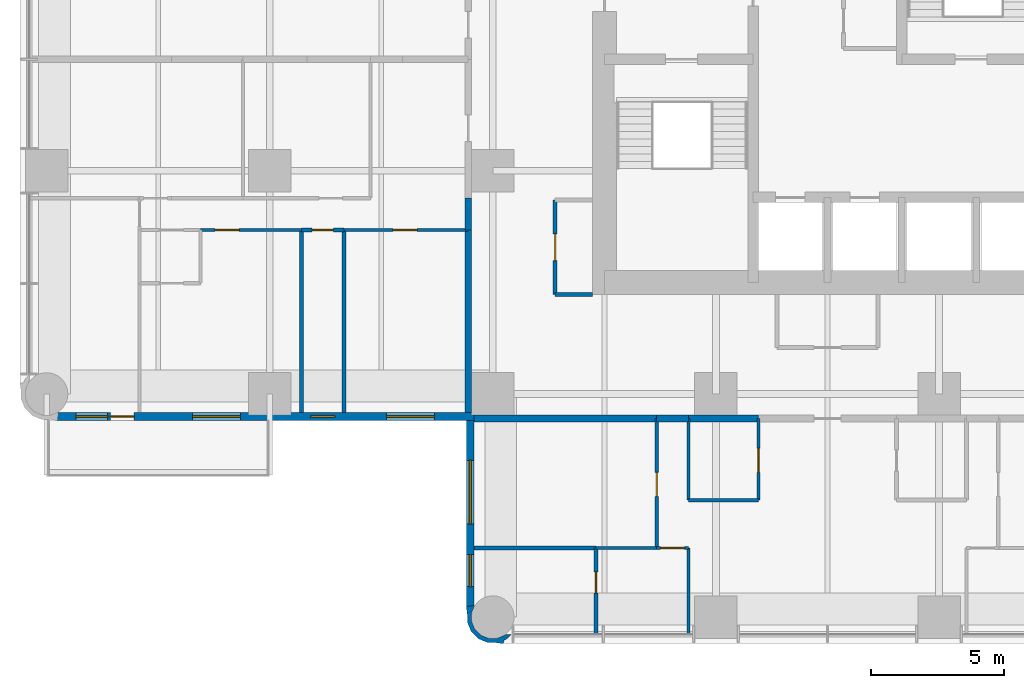
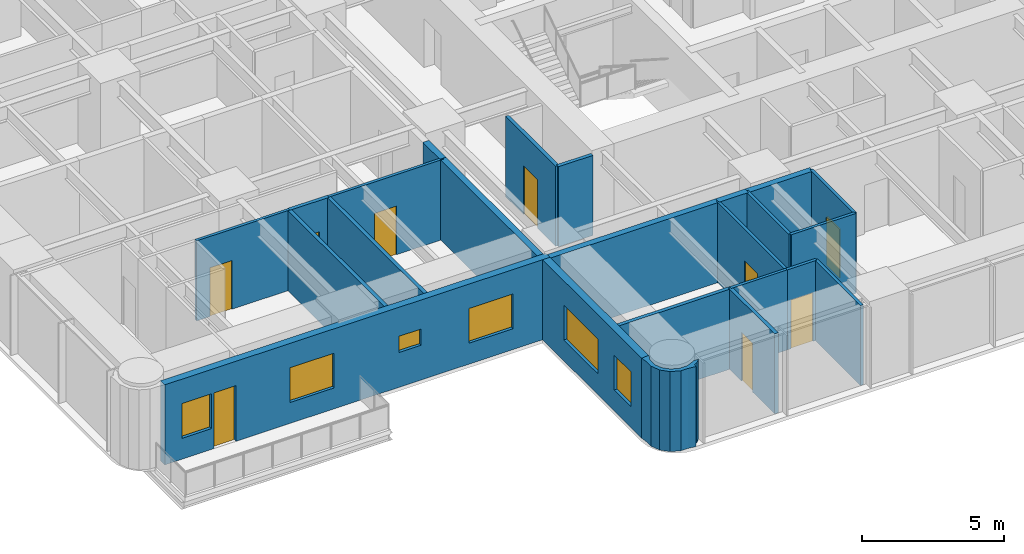
# One storey, part 6 of 15: 24 walls, 9 doors, 6 windows, 15 openings.
"""IFC4 building model written with IfcOpenShell, lengths in metres."""

from ifc_helpers import new_model, si_unit, direction, frame, frame_2d, origin, place, context, subcontext, project, spatial, polyline, rectangle, outline, extrude, material, layer, layer_set, type_object, element, fill, save


model = new_model("IFC4")

# Units and contexts
model_context = context("Model", 3, precision=1e-05, world=origin(), true_north=direction((0.0, 1.0)))
body_context = subcontext(model_context, "Body", "Model", "MODEL_VIEW")
ifc_project = project(units=[si_unit("LENGTHUNIT", "METRE"), si_unit("AREAUNIT", "SQUARE_METRE"), si_unit("VOLUMEUNIT", "CUBIC_METRE"), si_unit("PLANEANGLEUNIT", "RADIAN"), si_unit("MASSUNIT", "GRAM", prefix="KILO")], contexts=[model_context])

# Site, building, storey
site_placement = place(None, origin())
site = spatial("IfcSite", under=ifc_project, at=site_placement, CompositionType="ELEMENT")
building_placement = place(site_placement, origin())
building = spatial("IfcBuilding", under=site, at=building_placement, Name="Torre Alcanfor", CompositionType="ELEMENT")
storey_placement = place(building_placement, frame((0.0, 0.0, 123.300048828125)))
storey = spatial("IfcBuildingStorey", under=building, at=storey_placement, Name="L31", CompositionType="ELEMENT", Elevation=123.300048828125)

# Walls
ifc_material_1 = material(Name="Concrete block masonry, hollow blocks NMX-C-404 9 MPa", Category="masonry")
ifc_layer_1 = layer(ifc_material_1, 0.25)
ifc_layer_set_1 = layer_set([ifc_layer_1], Name="Apartment entrance wall 250 EI 60")
wall_type_1 = type_object("IfcWallType", Name="Apartment entrance wall 250 EI 60", PredefinedType="PARTITIONING", material=ifc_layer_set_1)
wall_1_placement = place(storey_placement, frame((26.800048828125, 15.875, 0.0), z_axis=(0.0, 0.0, 1.0), x_axis=(-1.0, 0.0, 0.0)))
element("IfcWall", 1, at=wall_1_placement, inside=storey, type_object=wall_type_1, Name="Partition L31-CORR / L31-SX-KITCHEN", PredefinedType="PARTITIONING", context=body_context, shape_type="SweptSolid", body=[
    extrude(rectangle(XDim=2.629150390625, YDim=0.25, at=frame_2d((1.314453125, 0.0))), origin(), (0.0, 0.0, 1.0), 3.449951171875),
])
wall_2_placement = place(storey_placement, frame((24.1708984375, 15.875, 0.0), z_axis=(0.0, 0.0, 1.0), x_axis=(-1.0, 0.0, 0.0)))
element("IfcWall", 2, at=wall_2_placement, inside=storey, type_object=wall_type_1, Name="Partition L31-CORR / L31-SX-LIVING", PredefinedType="PARTITIONING", context=body_context, shape_type="SweptSolid", body=[
    extrude(rectangle(XDim=1.199951171875, YDim=0.25, at=frame_2d((0.60009765625, 0.0))), origin(), (0.0, 0.0, 1.0), 3.449951171875),
])
wall_3_placement = place(storey_placement, frame((22.970947265625, 15.875, 0.0), z_axis=(0.0, 0.0, 1.0), x_axis=(-1.0, 0.0, 0.0)))
element("IfcWall", 3, at=wall_3_placement, inside=storey, type_object=wall_type_1, Name="Partition L31-CORR / L31-SX-BED3", PredefinedType="PARTITIONING", context=body_context, shape_type="SweptSolid", body=[
    extrude(rectangle(XDim=6.870849609375, YDim=0.25, at=frame_2d((3.435546875, 0.0))), origin(), (0.0, 0.0, 1.0), 3.449951171875),
])
wall_4_placement = place(storey_placement, frame((15.875, 22.970947265625, 0.0), z_axis=(0.0, 0.0, 1.0), x_axis=(0.0, 1.0, 0.0)))
element("IfcWall", 4, at=wall_4_placement, inside=storey, type_object=wall_type_1, Name="Partition L31-CORR / L31-W1-HALL", PredefinedType="PARTITIONING", context=body_context, shape_type="SweptSolid", body=[
    extrude(rectangle(XDim=1.199951171875, YDim=0.25, at=frame_2d((0.60009765625, 0.0))), origin(), (0.0, 0.0, 1.0), 3.449951171875),
])
wall_5_placement = place(storey_placement, frame((15.875, 16.10009765625, 0.0), z_axis=(0.0, 0.0, 1.0), x_axis=(0.0, 1.0, 0.0)))
element("IfcWall", 5, at=wall_5_placement, inside=storey, type_object=wall_type_1, Name="Partition L31-CORR / L31-W1-BED2", PredefinedType="PARTITIONING", context=body_context, shape_type="SweptSolid", body=[
    extrude(rectangle(XDim=6.870849609375, YDim=0.25, at=frame_2d((3.435546875, 0.0))), origin(), (0.0, 0.0, 1.0), 3.449951171875),
])

# Wall, opening, door
ifc_material_2 = material(Name="Gypsum board on steel studs", Category="steel")
ifc_layer_2 = layer(ifc_material_2, 0.1201171875)
ifc_layer_set_2 = layer_set([ifc_layer_2], Name="Apartment partition 120")
wall_type_2 = type_object("IfcWallType", Name="Apartment partition 120", PredefinedType="PARTITIONING", material=ifc_layer_set_2)
wall_6_placement = place(storey_placement, frame((26.800048828125, 15.875, 0.0), z_axis=(0.0, 0.0, 1.0), x_axis=(0.0, -1.0, 0.0)))
wall_6 = element("IfcWall", 6, at=wall_6_placement, inside=storey, type_object=wall_type_2, Name="Partition L31-SX-ZAG / L31-SX-KITCHEN", PredefinedType="PARTITIONING", context=body_context, shape_type="SweptSolid", body=[
    extrude(rectangle(XDim=3.074951171875, YDim=0.1201171875, at=frame_2d((1.53759765625, 0.0))), origin(), (0.0, 0.0, 1.0), 3.449951171875),
])
opening_1_placement = place(wall_6_placement, frame((1.125, 0.0, 0.0)))
opening_1 = element("IfcOpeningElement", 7, at=opening_1_placement, cuts=wall_6, Name="Opening D-R1", PredefinedType="OPENING", context=body_context, shape_type="SweptSolid", body=[
    extrude(rectangle(XDim=0.89990234375, YDim=2.10009765625, at=frame_2d((0.449951171875, 1.050048828125))), frame((0.0, 0.070068359375, 0.0), z_axis=(0.0, -1.0, 0.0), x_axis=(1.0, 0.0, 0.0)), (0.0, 0.0, 1.0), 0.14013671875),
])
ifc_material_3 = material(Name="Timber", Category="wood")
door_type_1 = type_object("IfcDoorType", Name="Internal door 900x2100", OperationType="SINGLE_SWING_LEFT", PredefinedType="DOOR", material=ifc_material_3)
door_1_placement = place(opening_1_placement, frame((0.89990234375, 0.0, 0.0), z_axis=(0.0, 0.0, 1.0), x_axis=(-1.0, 0.0, 0.0)))
door_1 = element("IfcDoor", 8, at=door_1_placement, inside=storey, type_object=door_type_1, Name="Door L31-SX kitchen", OperationType="SINGLE_SWING_LEFT", OverallHeight=2.10009765625, OverallWidth=0.89990234375, PredefinedType="DOOR", context=body_context, shape_type="SweptSolid", body=[
    extrude(rectangle(XDim=0.89990234375, YDim=2.10009765625, at=frame_2d((0.449951171875, 1.050048828125))), frame((0.0, 0.025146484375, 0.0), z_axis=(0.0, -1.0, 0.0), x_axis=(1.0, 0.0, 0.0)), (0.0, 0.0, 1.0), 0.050048828125),
])
fill(opening_1, door_1)

# Walls
wall_7_placement = place(storey_placement, frame((24.1708984375, 15.875, 0.0), z_axis=(0.0, 0.0, 1.0), x_axis=(0.0, -1.0, 0.0)))
element("IfcWall", 9, at=wall_7_placement, inside=storey, type_object=wall_type_2, Name="Partition L31-SX-KITCHEN / L31-SX-LIVING", PredefinedType="PARTITIONING", context=body_context, shape_type="SweptSolid", body=[
    extrude(rectangle(XDim=3.074951171875, YDim=0.1201171875, at=frame_2d((1.53759765625, 0.0))), origin(), (0.0, 0.0, 1.0), 3.449951171875),
])
wall_8_placement = place(storey_placement, frame((24.1708984375, 12.800048828125, 0.0), z_axis=(0.0, 0.0, 1.0), x_axis=(1.0, 0.0, 0.0)))
element("IfcWall", 10, at=wall_8_placement, inside=storey, type_object=wall_type_2, Name="Partition L31-SX-KITCHEN / L31-SX-LIVING", PredefinedType="PARTITIONING", context=body_context, shape_type="SweptSolid", body=[
    extrude(rectangle(XDim=2.629150390625, YDim=0.1201171875, at=frame_2d((1.314453125, 0.0))), origin(), (0.0, 0.0, 1.0), 3.449951171875),
])

# Wall, opening, door
wall_9_placement = place(storey_placement, frame((22.970947265625, 11.0, 0.0), z_axis=(0.0, 0.0, 1.0), x_axis=(0.0, 1.0, 0.0)))
wall_9 = element("IfcWall", 11, at=wall_9_placement, inside=storey, type_object=wall_type_2, Name="Partition L31-SX-LIVING / L31-SX-BED3", PredefinedType="PARTITIONING", context=body_context, shape_type="SweptSolid", body=[
    extrude(rectangle(XDim=4.875, YDim=0.1201171875, at=frame_2d((2.4375, 0.0))), origin(), (0.0, 0.0, 1.0), 3.449951171875),
])
opening_2_placement = place(wall_9_placement, frame((1.949951171875, 0.0, 0.0)))
opening_2 = element("IfcOpeningElement", 12, at=opening_2_placement, cuts=wall_9, Name="Opening D-R1", PredefinedType="OPENING", context=body_context, shape_type="SweptSolid", body=[
    extrude(rectangle(XDim=0.89990234375, YDim=2.10009765625, at=frame_2d((0.449951171875, 1.050048828125))), frame((0.0, 0.070068359375, 0.0), z_axis=(0.0, -1.0, 0.0), x_axis=(1.0, 0.0, 0.0)), (0.0, 0.0, 1.0), 0.14013671875),
])
door_2_placement = place(opening_2_placement, origin())
door_2 = element("IfcDoor", 13, at=door_2_placement, inside=storey, type_object=door_type_1, Name="Door L31-SX bed3", OperationType="SINGLE_SWING_LEFT", OverallHeight=2.10009765625, OverallWidth=0.89990234375, PredefinedType="DOOR", context=body_context, shape_type="SweptSolid", body=[
    extrude(rectangle(XDim=0.89990234375, YDim=2.10009765625, at=frame_2d((0.449951171875, 1.050048828125))), frame((0.0, 0.02490234375, 0.0), z_axis=(0.0, -1.0, 0.0), x_axis=(1.0, 0.0, 0.0)), (0.0, 0.0, 1.0), 0.050048828125),
])
fill(opening_2, door_2)

# Wall
wall_10_placement = place(storey_placement, frame((24.1708984375, 7.75, 0.0), z_axis=(0.0, 0.0, 1.0), x_axis=(0.0, 1.0, 0.0)))
element("IfcWall", 14, at=wall_10_placement, inside=storey, type_object=wall_type_2, Name="Partition L31-SX-LIVING / L31-SX-BED1", PredefinedType="PARTITIONING", context=body_context, shape_type="SweptSolid", body=[
    extrude(rectangle(XDim=3.25, YDim=0.1201171875, at=frame_2d((1.625, 0.0))), origin(), (0.0, 0.0, 1.0), 3.449951171875),
])

# Wall, opening, door
wall_11_placement = place(storey_placement, frame((24.1708984375, 11.0, 0.0), z_axis=(0.0, 0.0, 1.0), x_axis=(-1.0, 0.0, 0.0)))
wall_11 = element("IfcWall", 15, at=wall_11_placement, inside=storey, type_object=wall_type_2, Name="Partition L31-SX-LIVING / L31-SX-BED1", PredefinedType="PARTITIONING", context=body_context, shape_type="SweptSolid", body=[
    extrude(rectangle(XDim=1.199951171875, YDim=0.1201171875, at=frame_2d((0.60009765625, 0.0))), origin(), (0.0, 0.0, 1.0), 3.449951171875),
])
opening_3_placement = place(wall_11_placement, frame((0.15087890625, 0.0, 0.0)))
opening_3 = element("IfcOpeningElement", 16, at=opening_3_placement, cuts=wall_11, Name="Opening D-R1", PredefinedType="OPENING", context=body_context, shape_type="SweptSolid", body=[
    extrude(rectangle(XDim=0.89990234375, YDim=2.10009765625, at=frame_2d((0.449951171875, 1.050048828125))), frame((0.0, 0.070068359375, 0.0), z_axis=(0.0, -1.0, 0.0), x_axis=(1.0, 0.0, 0.0)), (0.0, 0.0, 1.0), 0.14013671875),
])
door_3_placement = place(opening_3_placement, origin())
door_3 = element("IfcDoor", 17, at=door_3_placement, inside=storey, type_object=door_type_1, Name="Door L31-SX bed1", OperationType="SINGLE_SWING_LEFT", OverallHeight=2.10009765625, OverallWidth=0.89990234375, PredefinedType="DOOR", context=body_context, shape_type="SweptSolid", body=[
    extrude(rectangle(XDim=0.89990234375, YDim=2.10009765625, at=frame_2d((0.449951171875, 1.050048828125))), frame((0.0, 0.02490234375, 0.0), z_axis=(0.0, -1.0, 0.0), x_axis=(1.0, 0.0, 0.0)), (0.0, 0.0, 1.0), 0.050048828125),
])
fill(opening_3, door_3)

# Wall
wall_12_placement = place(storey_placement, frame((20.68603515625, 11.0, 0.0), z_axis=(0.0, 0.0, 1.0), x_axis=(1.0, 0.0, 0.0)))
element("IfcWall", 18, at=wall_12_placement, inside=storey, type_object=wall_type_2, Name="Partition L31-SX-BED3 / L31-SX-BED1", PredefinedType="PARTITIONING", context=body_context, shape_type="SweptSolid", body=[
    extrude(rectangle(XDim=2.284912109375, YDim=0.1201171875, at=frame_2d((1.142578125, 0.0))), origin(), (0.0, 0.0, 1.0), 3.449951171875),
])

# Wall, opening, door
wall_13_placement = place(storey_placement, frame((11.199951171875, 22.970947265625, 0.0), z_axis=(0.0, 0.0, 1.0), x_axis=(1.0, 0.0, 0.0)))
wall_13 = element("IfcWall", 19, at=wall_13_placement, inside=storey, type_object=wall_type_2, Name="Partition L31-W1-HALL / L31-W1-BED2", PredefinedType="PARTITIONING", context=body_context, shape_type="SweptSolid", body=[
    extrude(rectangle(XDim=4.675048828125, YDim=0.1201171875, at=frame_2d((2.33740234375, 0.0))), origin(), (0.0, 0.0, 1.0), 3.449951171875),
])
opening_4_placement = place(wall_13_placement, frame((1.85009765625, 0.0, 0.0)))
opening_4 = element("IfcOpeningElement", 20, at=opening_4_placement, cuts=wall_13, Name="Opening D-R1", PredefinedType="OPENING", context=body_context, shape_type="SweptSolid", body=[
    extrude(rectangle(XDim=0.89990234375, YDim=2.10009765625, at=frame_2d((0.449951171875, 1.050048828125))), frame((0.0, 0.070068359375, 0.0), z_axis=(0.0, -1.0, 0.0), x_axis=(1.0, 0.0, 0.0)), (0.0, 0.0, 1.0), 0.14013671875),
])
door_4_placement = place(opening_4_placement, frame((0.89990234375, 0.0, 0.0), z_axis=(0.0, 0.0, 1.0), x_axis=(-1.0, 0.0, 0.0)))
door_4 = element("IfcDoor", 21, at=door_4_placement, inside=storey, type_object=door_type_1, Name="Door L31-W1 bed2", OperationType="SINGLE_SWING_RIGHT", OverallHeight=2.10009765625, OverallWidth=0.89990234375, PredefinedType="DOOR", context=body_context, shape_type="SweptSolid", body=[
    extrude(rectangle(XDim=0.89990234375, YDim=2.10009765625, at=frame_2d((0.449951171875, 1.050048828125))), frame((0.0, 0.025146484375, 0.0), z_axis=(0.0, -1.0, 0.0), x_axis=(1.0, 0.0, 0.0)), (0.0, 0.0, 1.0), 0.050048828125),
])
fill(opening_4, door_4)

wall_14_placement = place(storey_placement, frame((5.800048828125, 22.970947265625, 0.0), z_axis=(0.0, 0.0, 1.0), x_axis=(1.0, 0.0, 0.0)))
wall_14 = element("IfcWall", 22, at=wall_14_placement, inside=storey, type_object=wall_type_2, Name="Partition L31-W1-HALL / L31-W1-MASTER", PredefinedType="PARTITIONING", context=body_context, shape_type="SweptSolid", body=[
    extrude(rectangle(XDim=3.800048828125, YDim=0.1201171875, at=frame_2d((1.89990234375, 0.0))), origin(), (0.0, 0.0, 1.0), 3.449951171875),
])
opening_5_placement = place(wall_14_placement, frame((0.550048828125, 0.0, 0.0)))
opening_5 = element("IfcOpeningElement", 23, at=opening_5_placement, cuts=wall_14, Name="Opening D-R1", PredefinedType="OPENING", context=body_context, shape_type="SweptSolid", body=[
    extrude(rectangle(XDim=0.89990234375, YDim=2.10009765625, at=frame_2d((0.449951171875, 1.050048828125))), frame((0.0, 0.070068359375, 0.0), z_axis=(0.0, -1.0, 0.0), x_axis=(1.0, 0.0, 0.0)), (0.0, 0.0, 1.0), 0.14013671875),
])
door_5_placement = place(opening_5_placement, frame((0.89990234375, 0.0, 0.0), z_axis=(0.0, 0.0, 1.0), x_axis=(-1.0, 0.0, 0.0)))
door_5 = element("IfcDoor", 24, at=door_5_placement, inside=storey, type_object=door_type_1, Name="Door L31-W1 master", OperationType="SINGLE_SWING_RIGHT", OverallHeight=2.10009765625, OverallWidth=0.89990234375, PredefinedType="DOOR", context=body_context, shape_type="SweptSolid", body=[
    extrude(rectangle(XDim=0.89990234375, YDim=2.10009765625, at=frame_2d((0.449951171875, 1.050048828125))), frame((0.0, 0.025146484375, 0.0), z_axis=(0.0, -1.0, 0.0), x_axis=(1.0, 0.0, 0.0)), (0.0, 0.0, 1.0), 0.050048828125),
])
fill(opening_5, door_5)

# Wall, openings, door, windows
ifc_material_4 = material(Name="Limestone cladding", Category="masonry")
ifc_layer_3 = layer(ifc_material_4, 0.0400390625, Name="Facing")
ifc_material_5 = material(Name="Ventilated air cavity")
ifc_layer_4 = layer(ifc_material_5, 0.02001953125, ventilated=True, Name="Ventilated joint")
ifc_material_6 = material(Name="Mineral wool insulation", Category="insulation")
ifc_layer_5 = layer(ifc_material_6, 0.10009765625, Name="Insulation")
ifc_material_7 = material(Name="Concrete f'c 35 MPa", Category="concrete")
ifc_layer_6 = layer(ifc_material_7, 0.139892578125, Name="Backing")
ifc_layer_set_3 = layer_set([ifc_layer_3, ifc_layer_4, ifc_layer_5, ifc_layer_6], Name="External wall stone-clad 300")
wall_type_3 = type_object("IfcWallType", Name="External wall stone-clad 300", PredefinedType="SOLIDWALL", material=ifc_layer_set_3)
wall_15_placement = place(storey_placement, frame((0.39990234375, 15.949951171875, 0.0), z_axis=(0.0, 0.0, 1.0), x_axis=(1.0, 0.0, 0.0)))
wall_15 = element("IfcWall", 25, at=wall_15_placement, inside=storey, type_object=wall_type_3, Name="External wall L31 3", PredefinedType="SOLIDWALL", context=body_context, shape_type="SweptSolid", body=[
    extrude(rectangle(XDim=15.7001953125, YDim=0.300048828125, at=frame_2d((7.85009765625, 0.0))), origin(), (0.0, 0.0, 1.0), 3.449951171875),
])
opening_6_placement = place(wall_15_placement, frame((12.39990234375, 0.0, 0.89990234375)))
opening_6 = element("IfcOpeningElement", 26, at=opening_6_placement, cuts=wall_15, Name="Opening W2", PredefinedType="OPENING", context=body_context, shape_type="SweptSolid", body=[
    extrude(rectangle(XDim=1.800048828125, YDim=1.5, at=frame_2d((0.89990234375, 0.75))), frame((0.0, 0.159912109375, 0.0), z_axis=(0.0, -1.0, 0.0), x_axis=(1.0, 0.0, 0.0)), (0.0, 0.0, 1.0), 0.320068359375),
])
opening_7_placement = place(wall_15_placement, frame((9.550048828125, 0.0, 1.5)))
opening_7 = element("IfcOpeningElement", 27, at=opening_7_placement, cuts=wall_15, Name="Opening W3", PredefinedType="OPENING", context=body_context, shape_type="SweptSolid", body=[
    extrude(rectangle(XDim=0.89990234375, YDim=0.699951171875, at=frame_2d((0.449951171875, 0.35009765625))), frame((0.0, 0.159912109375, 0.0), z_axis=(0.0, -1.0, 0.0), x_axis=(1.0, 0.0, 0.0)), (0.0, 0.0, 1.0), 0.320068359375),
])
opening_8_placement = place(wall_15_placement, frame((5.10009765625, 0.0, 0.89990234375)))
opening_8 = element("IfcOpeningElement", 28, at=opening_8_placement, cuts=wall_15, Name="Opening W2", PredefinedType="OPENING", context=body_context, shape_type="SweptSolid", body=[
    extrude(rectangle(XDim=1.800048828125, YDim=1.5, at=frame_2d((0.89990234375, 0.75))), frame((0.0, 0.159912109375, 0.0), z_axis=(0.0, -1.0, 0.0), x_axis=(1.0, 0.0, 0.0)), (0.0, 0.0, 1.0), 0.320068359375),
])
opening_9_placement = place(wall_15_placement, frame((2.0, 0.0, 0.0)))
opening_9 = element("IfcOpeningElement", 29, at=opening_9_placement, cuts=wall_15, Name="Opening D-B1", PredefinedType="OPENING", context=body_context, shape_type="SweptSolid", body=[
    extrude(rectangle(XDim=0.89990234375, YDim=2.39990234375, at=frame_2d((0.449951171875, 1.199951171875))), frame((0.0, 0.159912109375, 0.0), z_axis=(0.0, -1.0, 0.0), x_axis=(1.0, 0.0, 0.0)), (0.0, 0.0, 1.0), 0.320068359375),
])
opening_10_placement = place(wall_15_placement, frame((0.699951171875, 0.0, 0.89990234375)))
opening_10 = element("IfcOpeningElement", 30, at=opening_10_placement, cuts=wall_15, Name="Opening W4", PredefinedType="OPENING", context=body_context, shape_type="SweptSolid", body=[
    extrude(rectangle(XDim=1.199951171875, YDim=1.5, at=frame_2d((0.60009765625, 0.75))), frame((0.0, 0.159912109375, 0.0), z_axis=(0.0, -1.0, 0.0), x_axis=(1.0, 0.0, 0.0)), (0.0, 0.0, 1.0), 0.320068359375),
])
ifc_material_8 = material(Name="Aluminium and glass", Category="aluminium")
door_type_2 = type_object("IfcDoorType", Name="Balcony door glazed 900x2400", OperationType="SINGLE_SWING_LEFT", PredefinedType="DOOR", material=ifc_material_8)
door_6_placement = place(opening_9_placement, origin())
door_6 = element("IfcDoor", 31, at=door_6_placement, inside=storey, type_object=door_type_2, Name="Balcony door L31-W1", OperationType="SINGLE_SWING_RIGHT", OverallHeight=2.39990234375, OverallWidth=0.89990234375, PredefinedType="DOOR", context=body_context, shape_type="SweptSolid", body=[
    extrude(rectangle(XDim=0.89990234375, YDim=2.39990234375, at=frame_2d((0.449951171875, 1.199951171875))), frame((0.0, 0.02490234375, 0.0), z_axis=(0.0, -1.0, 0.0), x_axis=(1.0, 0.0, 0.0)), (0.0, 0.0, 1.0), 0.050048828125),
])
fill(opening_9, door_6)
ifc_material_9 = material(Name="Aluminium frame with clear double glazing", Category="aluminium")
window_type_1 = type_object("IfcWindowType", Name="Window bathroom 900x700", PartitioningType="SINGLE_PANEL", PredefinedType="WINDOW", material=ifc_material_9)
window_1_placement = place(opening_7_placement, origin())
window_1 = element("IfcWindow", 32, at=window_1_placement, inside=storey, type_object=window_type_1, Name="Window W3 L31-W1", OverallHeight=0.699951171875, OverallWidth=0.89990234375, PartitioningType="SINGLE_PANEL", PredefinedType="WINDOW", context=body_context, shape_type="SweptSolid", body=[
    extrude(rectangle(XDim=0.89990234375, YDim=0.699951171875, at=frame_2d((0.449951171875, 0.35009765625))), frame((0.0, 0.030029296875, 0.0), z_axis=(0.0, -1.0, 0.0), x_axis=(1.0, 0.0, 0.0)), (0.0, 0.0, 1.0), 0.06005859375),
])
fill(opening_7, window_1)
ifc_material_10 = material(Name="Aluminium frame with clear double glazing", Category="aluminium")
window_type_2 = type_object("IfcWindowType", Name="Window bedroom 1200x1500", PartitioningType="SINGLE_PANEL", PredefinedType="WINDOW", material=ifc_material_10)
window_2_placement = place(opening_10_placement, origin())
window_2 = element("IfcWindow", 33, at=window_2_placement, inside=storey, type_object=window_type_2, Name="Window W4 L31-W1", OverallHeight=1.5, OverallWidth=1.199951171875, PartitioningType="SINGLE_PANEL", PredefinedType="WINDOW", context=body_context, shape_type="SweptSolid", body=[
    extrude(rectangle(XDim=1.199951171875, YDim=1.5, at=frame_2d((0.60009765625, 0.75))), frame((0.0, 0.030029296875, 0.0), z_axis=(0.0, -1.0, 0.0), x_axis=(1.0, 0.0, 0.0)), (0.0, 0.0, 1.0), 0.06005859375),
])
fill(opening_10, window_2)
ifc_material_11 = material(Name="Aluminium frame with clear double glazing", Category="aluminium")
window_type_3 = type_object("IfcWindowType", Name="Window bedroom 1800x1500", PartitioningType="SINGLE_PANEL", PredefinedType="WINDOW", material=ifc_material_11)
window_3_placement = place(opening_6_placement, origin())
window_3 = element("IfcWindow", 34, at=window_3_placement, inside=storey, type_object=window_type_3, Name="Window W2 L31-W1", OverallHeight=1.5, OverallWidth=1.800048828125, PartitioningType="SINGLE_PANEL", PredefinedType="WINDOW", context=body_context, shape_type="SweptSolid", body=[
    extrude(rectangle(XDim=1.800048828125, YDim=1.5, at=frame_2d((0.89990234375, 0.75))), frame((0.0, 0.030029296875, 0.0), z_axis=(0.0, -1.0, 0.0), x_axis=(1.0, 0.0, 0.0)), (0.0, 0.0, 1.0), 0.06005859375),
])
fill(opening_6, window_3)
window_4_placement = place(opening_8_placement, origin())
window_4 = element("IfcWindow", 35, at=window_4_placement, inside=storey, type_object=window_type_3, Name="Window W2 L31-W1", OverallHeight=1.5, OverallWidth=1.800048828125, PartitioningType="SINGLE_PANEL", PredefinedType="WINDOW", context=body_context, shape_type="SweptSolid", body=[
    extrude(rectangle(XDim=1.800048828125, YDim=1.5, at=frame_2d((0.89990234375, 0.75))), frame((0.0, 0.030029296875, 0.0), z_axis=(0.0, -1.0, 0.0), x_axis=(1.0, 0.0, 0.0)), (0.0, 0.0, 1.0), 0.06005859375),
])
fill(opening_8, window_4)

# Wall, openings, windows
wall_16_placement = place(storey_placement, frame((15.949951171875, 15.800048828125, 0.0), z_axis=(0.0, 0.0, 1.0), x_axis=(0.0, -1.0, 0.0)))
wall_16 = element("IfcWall", 36, at=wall_16_placement, inside=storey, type_object=wall_type_3, Name="External wall L31 4", PredefinedType="SOLIDWALL", context=body_context, shape_type="SweptSolid", body=[
    extrude(rectangle(XDim=7.0, YDim=0.300048828125, at=frame_2d((3.5, 0.0))), origin(), (0.0, 0.0, 1.0), 3.449951171875),
])
opening_11_placement = place(wall_16_placement, frame((1.5, 0.0, 0.89990234375)))
opening_11 = element("IfcOpeningElement", 37, at=opening_11_placement, cuts=wall_16, Name="Opening W1", PredefinedType="OPENING", context=body_context, shape_type="SweptSolid", body=[
    extrude(rectangle(XDim=2.39990234375, YDim=1.5, at=frame_2d((1.199951171875, 0.75))), frame((0.0, 0.159912109375, 0.0), z_axis=(0.0, -1.0, 0.0), x_axis=(1.0, 0.0, 0.0)), (0.0, 0.0, 1.0), 0.320068359375),
])
opening_12_placement = place(wall_16_placement, frame((5.050048828125, 0.0, 0.89990234375)))
opening_12 = element("IfcOpeningElement", 38, at=opening_12_placement, cuts=wall_16, Name="Opening W4", PredefinedType="OPENING", context=body_context, shape_type="SweptSolid", body=[
    extrude(rectangle(XDim=1.199951171875, YDim=1.5, at=frame_2d((0.60009765625, 0.75))), frame((0.0, 0.159912109375, 0.0), z_axis=(0.0, -1.0, 0.0), x_axis=(1.0, 0.0, 0.0)), (0.0, 0.0, 1.0), 0.320068359375),
])
window_5_placement = place(opening_12_placement, origin())
window_5 = element("IfcWindow", 39, at=window_5_placement, inside=storey, type_object=window_type_2, Name="Window W4 L31-S2", OverallHeight=1.5, OverallWidth=1.199951171875, PartitioningType="SINGLE_PANEL", PredefinedType="WINDOW", context=body_context, shape_type="SweptSolid", body=[
    extrude(rectangle(XDim=1.199951171875, YDim=1.5, at=frame_2d((0.60009765625, 0.75))), frame((0.0, 0.030029296875, 0.0), z_axis=(0.0, -1.0, 0.0), x_axis=(1.0, 0.0, 0.0)), (0.0, 0.0, 1.0), 0.06005859375),
])
fill(opening_12, window_5)
ifc_material_12 = material(Name="Aluminium frame with clear double glazing", Category="aluminium")
window_type_4 = type_object("IfcWindowType", Name="Window bedroom 2400x1500", PartitioningType="SINGLE_PANEL", PredefinedType="WINDOW", material=ifc_material_12)
window_6_placement = place(opening_11_placement, origin())
window_6 = element("IfcWindow", 40, at=window_6_placement, inside=storey, type_object=window_type_4, Name="Window W1 L31-S2", OverallHeight=1.5, OverallWidth=2.39990234375, PartitioningType="SINGLE_PANEL", PredefinedType="WINDOW", context=body_context, shape_type="SweptSolid", body=[
    extrude(rectangle(XDim=2.39990234375, YDim=1.5, at=frame_2d((1.199951171875, 0.75))), frame((0.0, 0.030029296875, 0.0), z_axis=(0.0, -1.0, 0.0), x_axis=(1.0, 0.0, 0.0)), (0.0, 0.0, 1.0), 0.06005859375),
])
fill(opening_11, window_6)

# Wall, opening, door
ifc_material_13 = material(Name="Concrete block masonry, hollow blocks NMX-C-404 9 MPa", Category="masonry")
ifc_layer_7 = layer(ifc_material_13, 0.14990234375)
ifc_layer_set_4 = layer_set([ifc_layer_7], Name="Residents' room partition 150")
wall_type_4 = type_object("IfcWallType", Name="Residents' room partition 150", PredefinedType="PARTITIONING", material=ifc_layer_set_4)
wall_17_placement = place(storey_placement, frame((19.14990234375, 24.10009765625, 0.0), z_axis=(0.0, 0.0, 1.0), x_axis=(0.0, -1.0, 0.0)))
wall_17 = element("IfcWall", 41, at=wall_17_placement, inside=storey, type_object=wall_type_4, Name="Partition L31-CORR / L31-G06", PredefinedType="PARTITIONING", context=body_context, shape_type="SweptSolid", body=[
    extrude(rectangle(XDim=3.550048828125, YDim=0.14990234375, at=frame_2d((1.77490234375, 0.0))), origin(), (0.0, 0.0, 1.0), 3.449951171875),
])
opening_13_placement = place(wall_17_placement, frame((1.27490234375, 0.0, 0.0)))
opening_13 = element("IfcOpeningElement", 42, at=opening_13_placement, cuts=wall_17, Name="Opening D-M1", PredefinedType="OPENING", context=body_context, shape_type="SweptSolid", body=[
    extrude(rectangle(XDim=1.0, YDim=2.10009765625, at=frame_2d((0.5, 1.050048828125))), frame((0.0, 0.0849609375, 0.0), z_axis=(0.0, -1.0, 0.0), x_axis=(1.0, 0.0, 0.0)), (0.0, 0.0, 1.0), 0.169921875),
])
ifc_material_14 = material(Name="Timber", Category="wood")
door_type_3 = type_object("IfcDoorType", Name="Residents' room door 1000x2100", OperationType="SINGLE_SWING_LEFT", PredefinedType="DOOR", material=ifc_material_14)
door_7_placement = place(opening_13_placement, origin())
door_7 = element("IfcDoor", 43, at=door_7_placement, inside=storey, type_object=door_type_3, Name="Door L31-G06 parcel room", OperationType="SINGLE_SWING_LEFT", OverallHeight=2.10009765625, OverallWidth=1.0, PredefinedType="DOOR", context=body_context, shape_type="SweptSolid", body=[
    extrude(rectangle(XDim=1.0, YDim=2.10009765625, at=frame_2d((0.5, 1.050048828125))), frame((0.0, 0.02490234375, 0.0), z_axis=(0.0, -1.0, 0.0), x_axis=(1.0, 0.0, 0.0)), (0.0, 0.0, 1.0), 0.050048828125),
])
fill(opening_13, door_7)

# Walls
wall_18_placement = place(storey_placement, frame((19.14990234375, 20.550048828125, 0.0), z_axis=(0.0, 0.0, 1.0), x_axis=(1.0, 0.0, 0.0)))
element("IfcWall", 44, at=wall_18_placement, inside=storey, type_object=wall_type_4, Name="Partition L31-CORR / L31-G06", PredefinedType="PARTITIONING", context=body_context, shape_type="SweptSolid", body=[
    extrude(rectangle(XDim=1.400146484375, YDim=0.14990234375, at=frame_2d((0.7001953125, 0.0))), origin(), (0.0, 0.0, 1.0), 3.449951171875),
])
ifc_layer_8 = layer(ifc_material_4, 0.0400390625, Name="Facing")
ifc_layer_9 = layer(ifc_material_5, 0.02001953125, ventilated=True, Name="Ventilated joint")
ifc_layer_10 = layer(ifc_material_6, 0.10009765625, Name="Insulation")
ifc_layer_11 = layer(ifc_material_7, 0.139892578125, Name="Backing")
ifc_layer_set_5 = layer_set([ifc_layer_8, ifc_layer_9, ifc_layer_10, ifc_layer_11], Name="Rounded corner pier stone-clad 300")
wall_type_5 = type_object("IfcWallType", Name="Rounded corner pier stone-clad 300", PredefinedType="SOLIDWALL", material=ifc_layer_set_5)
wall_19_placement = place(storey_placement, frame((15.982940512, 8.726823795, 0.0), z_axis=(0.0, 0.0, 1.0), x_axis=(-0.343276641956, -0.93923434088, 0.0)))
element("IfcWall", 45, at=wall_19_placement, inside=storey, type_object=wall_type_5, Name="Corner pier L31 15", PredefinedType="SOLIDWALL", context=body_context, shape_type="SweptSolid", body=[
    extrude(outline(polyline([(0.8285188621172053, 1.5985593448955209), (0.6965961152022397, 1.5690588556644411), (0.6041961706613557, 1.669674810951586), (0.3940973255728224, 1.767303623446145), (0.47128428534856764, 1.55611347990365), (0.5085447362659081, 1.5387992791780876), (0.7240402358503313, 1.3040772160031127), (0.8334093808094493, 1.0048338530031606), (0.8200582319080854, 0.6864716314609828), (0.6857640531711582, 0.3974683020769049), (0.4510419899961833, 0.18197280249248177), (0.15179862699623123, 0.07260365753336384), (-0.11622928371084919, 0.08407628105020303), (-0.1273371975026375, 0.0781969477675098), (-0.14614022874094865, 0.07132471030647711), (-0.0059930226407584886, -0.19691459363495123), (0.26574754989690047, -0.054967852634112954), (0.535410534485363, 0.043590089489965705), (0.8166395849446566, 0.30181686768145743), (0.9775598034528271, 0.6481198820896807), (0.9938114202888776, 1.0296668379252687), (0.8951696703908839, 1.299559127772735), (0.8285188621172053, 1.5985593448955209)])), origin(), (0.0, 0.0, 1.0), 3.449951171875),
])
ifc_material_15 = material(Name="Cement board on steel studs", Category="steel")
ifc_layer_12 = layer(ifc_material_15, 0.14990234375)
ifc_layer_set_6 = layer_set([ifc_layer_12], Name="Wet area partition 150")
wall_type_6 = type_object("IfcWallType", Name="Wet area partition 150", PredefinedType="PARTITIONING", material=ifc_layer_set_6)
wall_20_placement = place(storey_placement, frame((16.10009765625, 11.0, 0.0), z_axis=(0.0, 0.0, 1.0), x_axis=(1.0, 0.0, 0.0)))
element("IfcWall", 46, at=wall_20_placement, inside=storey, type_object=wall_type_6, Name="Partition L31-SX-BED3 / L31-SX-BATH1", PredefinedType="PARTITIONING", context=body_context, shape_type="SweptSolid", body=[
    extrude(rectangle(XDim=4.5859375, YDim=0.14990234375, at=frame_2d((2.29296875, 0.0))), origin(), (0.0, 0.0, 1.0), 3.449951171875),
])

# Wall, opening, door
wall_21_placement = place(storey_placement, frame((20.68603515625, 7.75, 0.0), z_axis=(0.0, 0.0, 1.0), x_axis=(0.0, 1.0, 0.0)))
wall_21 = element("IfcWall", 47, at=wall_21_placement, inside=storey, type_object=wall_type_6, Name="Partition L31-SX-BATH1 / L31-SX-BED1", PredefinedType="PARTITIONING", context=body_context, shape_type="SweptSolid", body=[
    extrude(rectangle(XDim=3.25, YDim=0.14990234375, at=frame_2d((1.625, 0.0))), origin(), (0.0, 0.0, 1.0), 3.449951171875),
])
opening_14_placement = place(wall_21_placement, frame((1.550048828125, 0.0, 0.0)))
opening_14 = element("IfcOpeningElement", 48, at=opening_14_placement, cuts=wall_21, Name="Opening D-R2", PredefinedType="OPENING", context=body_context, shape_type="SweptSolid", body=[
    extrude(rectangle(XDim=0.800048828125, YDim=2.10009765625, at=frame_2d((0.39990234375, 1.050048828125))), frame((0.0, 0.0849609375, 0.0), z_axis=(0.0, -1.0, 0.0), x_axis=(1.0, 0.0, 0.0)), (0.0, 0.0, 1.0), 0.169921875),
])
ifc_material_16 = material(Name="Timber", Category="wood")
door_type_4 = type_object("IfcDoorType", Name="Bathroom door 800x2100", OperationType="SINGLE_SWING_LEFT", PredefinedType="DOOR", material=ifc_material_16)
door_8_placement = place(opening_14_placement, frame((0.800048828125, 0.0, 0.0), z_axis=(0.0, 0.0, 1.0), x_axis=(-1.0, 0.0, 0.0)))
door_8 = element("IfcDoor", 49, at=door_8_placement, inside=storey, type_object=door_type_4, Name="Door L31-SX bath1", OperationType="SINGLE_SWING_LEFT", OverallHeight=2.10009765625, OverallWidth=0.800048828125, PredefinedType="DOOR", context=body_context, shape_type="SweptSolid", body=[
    extrude(rectangle(XDim=0.800048828125, YDim=2.10009765625, at=frame_2d((0.400146484375, 1.050048828125))), frame((0.0, 0.025146484375, 0.0), z_axis=(0.0, -1.0, 0.0), x_axis=(1.0, 0.0, 0.0)), (0.0, 0.0, 1.0), 0.050048828125),
])
fill(opening_14, door_8)

wall_22_placement = place(storey_placement, frame((9.60009765625, 22.970947265625, 0.0), z_axis=(0.0, 0.0, 1.0), x_axis=(1.0, 0.0, 0.0)))
wall_22 = element("IfcWall", 50, at=wall_22_placement, inside=storey, type_object=wall_type_6, Name="Partition L31-W1-HALL / L31-W1-BATH1", PredefinedType="PARTITIONING", context=body_context, shape_type="SweptSolid", body=[
    extrude(rectangle(XDim=1.599853515625, YDim=0.14990234375, at=frame_2d((0.7998046875, 0.0))), origin(), (0.0, 0.0, 1.0), 3.449951171875),
])
opening_15_placement = place(wall_22_placement, frame((0.39990234375, 0.0, 0.0)))
opening_15 = element("IfcOpeningElement", 51, at=opening_15_placement, cuts=wall_22, Name="Opening D-R2", PredefinedType="OPENING", context=body_context, shape_type="SweptSolid", body=[
    extrude(rectangle(XDim=0.800048828125, YDim=2.10009765625, at=frame_2d((0.39990234375, 1.050048828125))), frame((0.0, 0.0849609375, 0.0), z_axis=(0.0, -1.0, 0.0), x_axis=(1.0, 0.0, 0.0)), (0.0, 0.0, 1.0), 0.169921875),
])
door_9_placement = place(opening_15_placement, frame((0.800048828125, 0.0, 0.0), z_axis=(0.0, 0.0, 1.0), x_axis=(-1.0, 0.0, 0.0)))
door_9 = element("IfcDoor", 52, at=door_9_placement, inside=storey, type_object=door_type_4, Name="Door L31-W1 bath1", OperationType="SINGLE_SWING_RIGHT", OverallHeight=2.10009765625, OverallWidth=0.800048828125, PredefinedType="DOOR", context=body_context, shape_type="SweptSolid", body=[
    extrude(rectangle(XDim=0.800048828125, YDim=2.10009765625, at=frame_2d((0.400146484375, 1.050048828125))), frame((0.0, 0.025146484375, 0.0), z_axis=(0.0, -1.0, 0.0), x_axis=(1.0, 0.0, 0.0)), (0.0, 0.0, 1.0), 0.050048828125),
])
fill(opening_15, door_9)

# Walls
for number, where, z_axis, x_axis, name in (
    (53, (11.199951171875, 22.970947265625, 0.0), (0.0, 0.0, 1.0), (0.0, -1.0, 0.0), "Partition L31-W1-BED2 / L31-W1-BATH1"),
    (54, (9.60009765625, 22.970947265625, 0.0), (0.0, 0.0, 1.0), (0.0, -1.0, 0.0), "Partition L31-W1-BATH1 / L31-W1-MASTER"),
):
    element("IfcWall", number, at=place(storey_placement, frame(where, z_axis=z_axis, x_axis=x_axis)), inside=storey, type_object=wall_type_6, Name=name, PredefinedType="PARTITIONING", context=body_context, shape_type="SweptSolid", body=[
        extrude(rectangle(XDim=6.870849609375, YDim=0.14990234375, at=frame_2d((3.435546875, 0.0))), origin(), (0.0, 0.0, 1.0), 3.449951171875),
    ])

save(model, "model.ifc")
